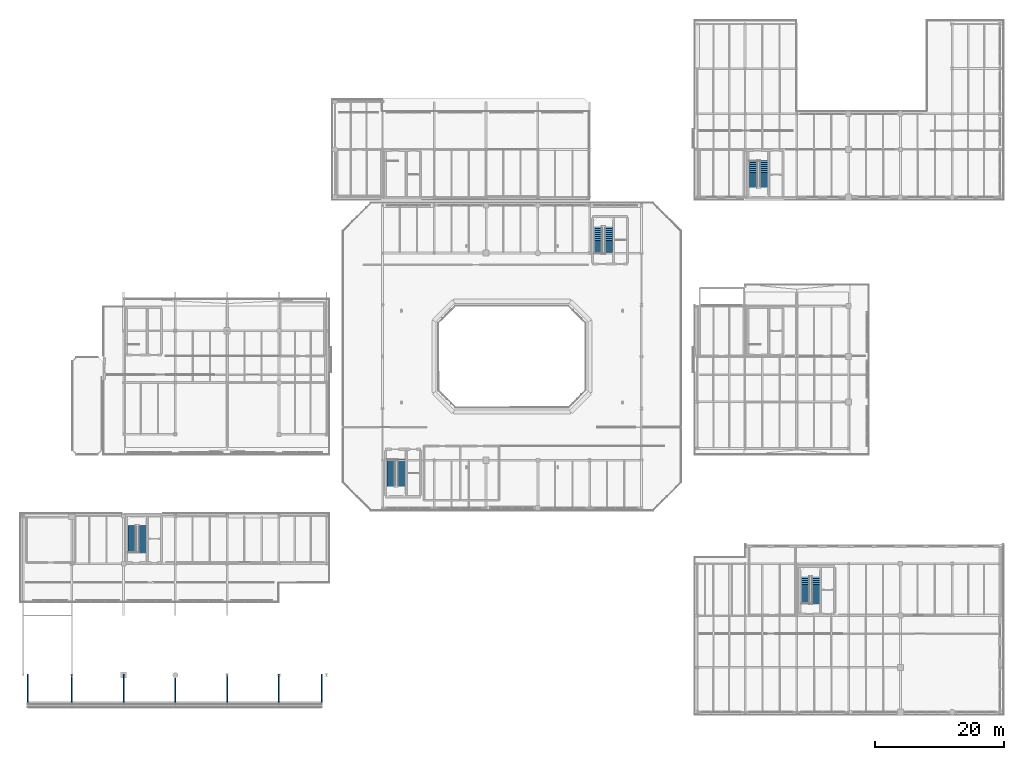
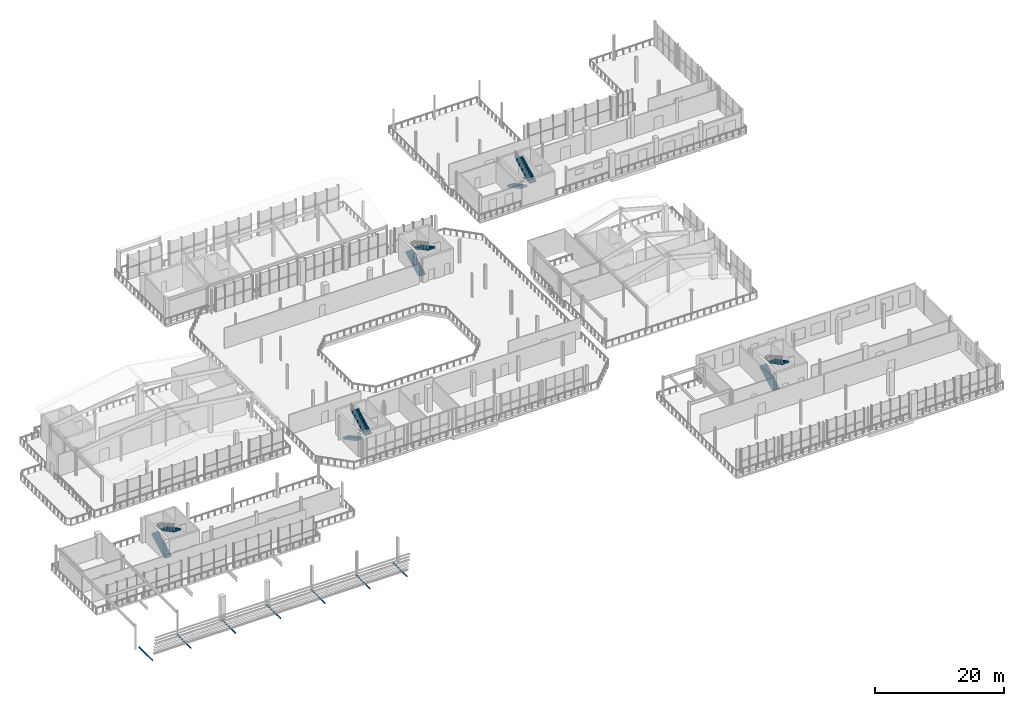
# One storey, part 55 of 70: 10 stair flights, 7 discrete accessories, 5 elements without a shape of their own.
"""IFC4 building model written with IfcOpenShell, lengths in metres."""

import ifcopenshell
import ifcopenshell.guid

model = None  # the IFC model being written
_history = None  # IfcOwnerHistory: only IFC2X3 demands one
_inside = {}  # id of a spatial element -> (the spatial element, [elements in it])
_under = {}  # id of a project, library or spatial element -> (it, [spatial elements below it])
_declared = {}  # id of a project -> (the project, [libraries it declares])
_typed = {}  # id of a type object -> (the type object, [elements of that type])
_made_of = {}  # id of a material, layer set ... -> (it, [elements and type objects made of it])


def new_model(schema):
    """Start an empty IFC model of exactly this schema.

    Asked for "IFC4X3", IfcOpenShell would pick the latest addendum, in which some entities
    have other attributes; the version numbers below select the first issue.
    IFC2X3 requires an IfcOwnerHistory on every rooted entity: one is made here for all.
    """
    global model, _history
    if schema == "IFC4X3":
        model = ifcopenshell.file(schema_version=(4, 3, 0, 0))
    else:
        model = ifcopenshell.file(schema=schema)
    _inside.clear()
    _under.clear()
    _declared.clear()
    _typed.clear()
    _made_of.clear()
    _history = None
    if model.schema == "IFC2X3":
        org = make("IfcOrganization", Name="unknown")
        user = make(
            "IfcPersonAndOrganization",
            ThePerson=make("IfcPerson", FamilyName="unknown"),
            TheOrganization=org,
        )
        app = make(
            "IfcApplication",
            ApplicationDeveloper=org,
            Version="unknown",
            ApplicationFullName="unknown",
            ApplicationIdentifier="unknown",
        )
        _history = make(
            "IfcOwnerHistory",
            OwningUser=user,
            OwningApplication=app,
            ChangeAction="ADDED",
            CreationDate=0,
        )
    return model


def make(cls, **values):
    """One entity of the class cls with the attributes given. An attribute that is None is left unset."""
    return model.create_entity(
        cls, **{name: value for name, value in values.items() if value is not None}
    )


def rooted(cls, **values):
    """An entity with a GlobalId (a new one), such as an element, a storey or a relation."""
    return make(cls, GlobalId=ifcopenshell.guid.new(), OwnerHistory=_history, **values)


def si_unit(unit_type, name, prefix=None):
    """IfcSIUnit, for example si_unit("LENGTHUNIT", "METRE", prefix="MILLI")."""
    return make("IfcSIUnit", UnitType=unit_type, Prefix=prefix, Name=name)


def assignment(units):
    """IfcUnitAssignment: the units of a project."""
    return None if units is None else make("IfcUnitAssignment", Units=units)


def point(xyz):
    """IfcCartesianPoint."""
    return None if xyz is None else make("IfcCartesianPoint", Coordinates=xyz)


def direction(xyz):
    """IfcDirection."""
    return None if xyz is None else make("IfcDirection", DirectionRatios=xyz)


def frame(location, z_axis=None, x_axis=None):
    """IfcAxis2Placement3D, a coordinate frame: its origin and axes. An axis left out is left unset."""
    return make(
        "IfcAxis2Placement3D",
        Location=point(location),
        Axis=direction(z_axis),
        RefDirection=direction(x_axis),
    )


def frame_2d(location, x_axis=None):
    """IfcAxis2Placement2D, a coordinate frame in the plane: its origin and x axis."""
    return make(
        "IfcAxis2Placement2D", Location=point(location), RefDirection=direction(x_axis)
    )


def origin():
    """The frame at (0, 0, 0) with its axes left unset."""
    return frame((0.0, 0.0, 0.0))


def origin_2d():
    """The frame at (0, 0) in the plane with its x axis left unset."""
    return frame_2d((0.0, 0.0))


def place(relative_to, where):
    """IfcLocalPlacement: puts the frame where relative to a parent placement (None: the world)."""
    return make(
        "IfcLocalPlacement", PlacementRelTo=relative_to, RelativePlacement=where
    )


def context(
    kind, dimensions, precision=None, world=None, true_north=None, identifier=None
):
    """IfcGeometricRepresentationContext, for example the 3D "Model" context."""
    return make(
        "IfcGeometricRepresentationContext",
        ContextIdentifier=identifier,
        ContextType=kind,
        CoordinateSpaceDimension=dimensions,
        Precision=precision,
        WorldCoordinateSystem=world,
        TrueNorth=true_north,
    )


def subcontext(parent, identifier, kind, view, scale=None):
    """IfcGeometricRepresentationSubContext, for example "Body" below "Model"."""
    return make(
        "IfcGeometricRepresentationSubContext",
        ContextIdentifier=identifier,
        ContextType=kind,
        ParentContext=parent,
        TargetScale=scale,
        TargetView=view,
    )


def project(units=None, contexts=None):
    """IfcProject with its units and contexts."""
    return rooted(
        "IfcProject",
        Name="project",
        RepresentationContexts=contexts,
        UnitsInContext=assignment(units),
    )


def spatial(cls, under=None, at=None, **own):
    """A site, building, storey or space (cls), placed at a placement, below another one or the project."""
    s = rooted(cls, ObjectPlacement=at, **own)
    if under is not None:
        _under.setdefault(under.id(), (under, []))[1].append(s)
    return s


def polyline(points):
    """IfcPolyline through the points."""
    return make("IfcPolyline", Points=[point(p) for p in points])


def profile(cls, at=None, kind="AREA", **sizes):
    """A parametric profile (cls). Its sizes go by their IFC names, for example OverallWidth=200.0."""
    return make(cls, ProfileType=kind, Position=at, **sizes)


def rectangle(**sizes):
    """IfcRectangleProfileDef."""
    return profile("IfcRectangleProfileDef", **sizes)


def outline(outer, holes=None, kind="AREA"):
    """IfcArbitraryClosedProfileDef: a profile drawn as a closed curve; with holes, ...WithVoids."""
    if holes is None:
        return make("IfcArbitraryClosedProfileDef", ProfileType=kind, OuterCurve=outer)
    return make(
        "IfcArbitraryProfileDefWithVoids",
        ProfileType=kind,
        OuterCurve=outer,
        InnerCurves=holes,
    )


def extrude(swept, where, along, depth):
    """IfcExtrudedAreaSolid: the profile swept, set in the frame where, extruded along a direction by depth."""
    return make(
        "IfcExtrudedAreaSolid",
        SweptArea=swept,
        Position=where,
        ExtrudedDirection=direction(along),
        Depth=depth,
    )


def shape(context_of_items, identifier, shape_type, items):
    """IfcShapeRepresentation: the items that make up one representation, for example the "Body"."""
    return make(
        "IfcShapeRepresentation",
        ContextOfItems=context_of_items,
        RepresentationIdentifier=identifier,
        RepresentationType=shape_type,
        Items=items,
    )


def material(Name=None, Category=None):
    """IfcMaterial."""
    return make("IfcMaterial", Name=Name, Category=Category)


def made_of(thing, what):
    """Note that an element or type object is made of a material, layer set ...; save() writes the relation."""
    if what is not None:
        _made_of.setdefault(what.id(), (what, []))[1].append(thing)
    return thing


def type_object(cls, material=None, **own):
    """A type object (cls), such as IfcWallType, which elements share."""
    return made_of(rooted(cls, **own), material)


def element(
    cls,
    number,
    at=None,
    inside=None,
    cuts=None,
    type_object=None,
    material=None,
    context=None,
    identifier="Body",
    shape_type=None,
    held_by="IfcProductDefinitionShape",
    body=None,
    shapes=None,
    **own,
):
    """One element of the class cls, such as IfcWall. Its Tag is "e" and its number.

    at: its placement. inside: the storey or other place that contains it. cuts: it is an
    opening in that element (IfcRelVoidsElement). A single representation is given by context,
    identifier, shape_type and body (its items); several are given by shapes. held_by: the class
    of the entity that holds the representations. save() writes the other relations.
    """
    e = rooted(cls, Tag="e%d" % number, ObjectPlacement=at, **own)
    if body is not None:
        shapes = [shape(context, identifier, shape_type, body)]
    if shapes is not None:
        e.Representation = make(held_by, Representations=shapes)
    if inside is not None:
        _inside.setdefault(inside.id(), (inside, []))[1].append(e)
    if cuts is not None:
        rooted(
            "IfcRelVoidsElement", RelatingBuildingElement=cuts, RelatedOpeningElement=e
        )
    if type_object is not None:
        _typed.setdefault(type_object.id(), (type_object, []))[1].append(e)
    return made_of(e, material)


def aggregate(whole, parts):
    """IfcRelAggregates: a whole, such as a stair, and the parts it consists of."""
    return rooted("IfcRelAggregates", RelatingObject=whole, RelatedObjects=parts)


def save(model, path):
    """Write the relations noted so far, then the file.

    IfcRelAggregates (storeys below a building ...), IfcRelContainedInSpatialStructure (elements
    in a storey), IfcRelDefinesByType, IfcRelAssociatesMaterial and IfcRelDeclares: one each for
    every whole, place, type object, material and project.
    """
    for whole, parts in _under.values():
        aggregate(whole, parts)
    for where, things in _inside.values():
        rooted(
            "IfcRelContainedInSpatialStructure",
            RelatedElements=things,
            RelatingStructure=where,
        )
    for kind, things in _typed.values():
        rooted("IfcRelDefinesByType", RelatedObjects=things, RelatingType=kind)
    for what, things in _made_of.values():
        rooted("IfcRelAssociatesMaterial", RelatedObjects=things, RelatingMaterial=what)
    for by, libraries in _declared.values():
        rooted("IfcRelDeclares", RelatingContext=by, RelatedDefinitions=libraries)
    model.write(path)


model = new_model("IFC4")

# Units and contexts
model_context = context("Model", 3, precision=1e-05, world=origin(), true_north=direction((0.0, 1.0)))
body_context = subcontext(model_context, "Body", "Model", "MODEL_VIEW")
ifc_project = project(units=[si_unit("LENGTHUNIT", "METRE"), si_unit("AREAUNIT", "SQUARE_METRE"), si_unit("VOLUMEUNIT", "CUBIC_METRE"), si_unit("PLANEANGLEUNIT", "RADIAN"), si_unit("MASSUNIT", "GRAM", prefix="KILO")], contexts=[model_context])

# Site, building, storey
site_placement = place(None, origin())
site = spatial("IfcSite", under=ifc_project, at=site_placement, CompositionType="ELEMENT")
building_placement = place(site_placement, origin())
building = spatial("IfcBuilding", under=site, at=building_placement, Name="Brisemont Oceanarium", CompositionType="ELEMENT")
storey_placement = place(building_placement, frame((0.0, 0.0, 10.199951171875)))
storey = spatial("IfcBuildingStorey", under=building, at=storey_placement, Name="L02", CompositionType="ELEMENT", Elevation=10.199951171875)

# Stair, stair flights
ifc_material_1 = material(Name="Concrete C40/50", Category="concrete")
stair_type = type_object("IfcStairType", Name="STR-CORE-124-48", PredefinedType="HALF_TURN_STAIR", material=ifc_material_1)
stair_1_placement = place(storey_placement, origin())
stair_1 = element("IfcStair", 1, at=stair_1_placement, inside=storey, type_object=stair_type, Name="Exit stair ST-01 L02 to L03", PredefinedType="HALF_TURN_STAIR")
ifc_material_2 = material(Name="Concrete C40/50", Category="concrete")
stair_flight_type = type_object("IfcStairFlightType", Name="FLT-CORE-124-48", PredefinedType="STRAIGHT", material=ifc_material_2)
stair_flight_1_placement = place(storey_placement, frame((65.330078125, 40.14990234375, 0.0), z_axis=(0.0, 0.0, 1.0), x_axis=(0.0, -1.0, 0.0)))
stair_flight_1 = element("IfcStairFlight", 2, at=stair_flight_1_placement, type_object=stair_flight_type, Name="ST-01 L02 lower flight", NumberOfRisers=15, NumberOfTreads=14, PredefinedType="STRAIGHT", RiserHeight=0.16, TreadLength=0.303571, context=body_context, shape_type="SweptSolid", body=[
    extrude(outline(polyline([(0.0, 0.0), (0.0, 0.159912109375), (0.303466796875, 0.159912109375), (0.303466796875, 0.320068359375), (0.607177734375, 0.320068359375), (0.607177734375, 0.47998046875), (0.91064453125, 0.47998046875), (0.91064453125, 0.639892578125), (1.21435546875, 0.639892578125), (1.21435546875, 0.800048828125), (1.517822265625, 0.800048828125), (1.517822265625, 0.9599609375), (1.821533203125, 0.9599609375), (1.821533203125, 1.1201171875), (2.125, 1.1201171875), (2.125, 1.280029296875), (2.428466796875, 1.280029296875), (2.428466796875, 1.43994140625), (2.732177734375, 1.43994140625), (2.732177734375, 1.60009765625), (3.03564453125, 1.60009765625), (3.03564453125, 1.760009765625), (3.33935546875, 1.760009765625), (3.33935546875, 1.919921875), (3.642822265625, 1.919921875), (3.642822265625, 2.080078125), (3.946533203125, 2.080078125), (3.946533203125, 2.239990234375), (4.25, 2.239990234375), (4.25, 2.39990234375), (4.25, 1.991455078125), (0.4716796875, 0.0), (0.0, 0.0)])), frame((0.0, 0.6201171875, 0.0), z_axis=(0.0, -1.0, 0.0), x_axis=(1.0, 0.0, 0.0)), (0.0, 0.0, 1.0), 1.239990234375),
])
stair_flight_2_placement = place(storey_placement, frame((66.929931640625, 35.89990234375, 2.400146484375), z_axis=(0.0, 0.0, 1.0), x_axis=(0.0, 1.0, 0.0)))
stair_flight_2 = element("IfcStairFlight", 3, at=stair_flight_2_placement, type_object=stair_flight_type, Name="ST-01 L02 upper flight", NumberOfRisers=15, NumberOfTreads=14, PredefinedType="STRAIGHT", RiserHeight=0.16, TreadLength=0.303571, context=body_context, shape_type="SweptSolid", body=[
    extrude(outline(polyline([(0.0, 0.0), (0.0, 0.159912109375), (0.303466796875, 0.159912109375), (0.303466796875, 0.320068359375), (0.607177734375, 0.320068359375), (0.607177734375, 0.47998046875), (0.91064453125, 0.47998046875), (0.91064453125, 0.639892578125), (1.21435546875, 0.639892578125), (1.21435546875, 0.800048828125), (1.517822265625, 0.800048828125), (1.517822265625, 0.9599609375), (1.821533203125, 0.9599609375), (1.821533203125, 1.1201171875), (2.125, 1.1201171875), (2.125, 1.280029296875), (2.428466796875, 1.280029296875), (2.428466796875, 1.43994140625), (2.732177734375, 1.43994140625), (2.732177734375, 1.60009765625), (3.03564453125, 1.60009765625), (3.03564453125, 1.760009765625), (3.33935546875, 1.760009765625), (3.33935546875, 1.919921875), (3.642822265625, 1.919921875), (3.642822265625, 2.080078125), (3.946533203125, 2.080078125), (3.946533203125, 2.239990234375), (4.25, 2.239990234375), (4.25, 2.39990234375), (4.25, 1.991455078125), (0.4716796875, 0.0), (0.0, 0.0)])), frame((0.0, 0.6201171875, 0.0), z_axis=(0.0, -1.0, 0.0), x_axis=(1.0, 0.0, 0.0)), (0.0, 0.0, 1.0), 1.239990234375),
])
aggregate(stair_1, [stair_flight_1, stair_flight_2])

stair_2_placement = place(storey_placement, origin())
stair_2 = element("IfcStair", 4, at=stair_2_placement, inside=storey, type_object=stair_type, Name="Exit stair ST-02 L02 to L03", PredefinedType="HALF_TURN_STAIR")
stair_flight_3_placement = place(storey_placement, frame((97.330078125, 71.85009765625, 0.0), z_axis=(0.0, 0.0, 1.0), x_axis=(0.0, 1.0, 0.0)))
stair_flight_3 = element("IfcStairFlight", 5, at=stair_flight_3_placement, type_object=stair_flight_type, Name="ST-02 L02 lower flight", NumberOfRisers=15, NumberOfTreads=14, PredefinedType="STRAIGHT", RiserHeight=0.16, TreadLength=0.303571, context=body_context, shape_type="SweptSolid", body=[
    extrude(outline(polyline([(0.0, 0.0), (0.0, 0.159912109375), (0.303466796875, 0.159912109375), (0.303466796875, 0.320068359375), (0.607177734375, 0.320068359375), (0.607177734375, 0.47998046875), (0.91064453125, 0.47998046875), (0.91064453125, 0.639892578125), (1.21435546875, 0.639892578125), (1.21435546875, 0.800048828125), (1.517822265625, 0.800048828125), (1.517822265625, 0.9599609375), (1.821533203125, 0.9599609375), (1.821533203125, 1.1201171875), (2.125, 1.1201171875), (2.125, 1.280029296875), (2.428466796875, 1.280029296875), (2.428466796875, 1.43994140625), (2.732177734375, 1.43994140625), (2.732177734375, 1.60009765625), (3.03564453125, 1.60009765625), (3.03564453125, 1.760009765625), (3.33935546875, 1.760009765625), (3.33935546875, 1.919921875), (3.642822265625, 1.919921875), (3.642822265625, 2.080078125), (3.946533203125, 2.080078125), (3.946533203125, 2.239990234375), (4.25, 2.239990234375), (4.25, 2.39990234375), (4.25, 1.991455078125), (0.4716796875, 0.0), (0.0, 0.0)])), frame((0.0, 0.6201171875, 0.0), z_axis=(0.0, -1.0, 0.0), x_axis=(1.0, 0.0, 0.0)), (0.0, 0.0, 1.0), 1.239990234375),
])
stair_flight_4_placement = place(storey_placement, frame((98.929931640625, 76.10009765625, 2.400146484375), z_axis=(0.0, 0.0, 1.0), x_axis=(0.0, -1.0, 0.0)))
stair_flight_4 = element("IfcStairFlight", 6, at=stair_flight_4_placement, type_object=stair_flight_type, Name="ST-02 L02 upper flight", NumberOfRisers=15, NumberOfTreads=14, PredefinedType="STRAIGHT", RiserHeight=0.16, TreadLength=0.303571, context=body_context, shape_type="SweptSolid", body=[
    extrude(outline(polyline([(0.0, 0.0), (0.0, 0.159912109375), (0.303466796875, 0.159912109375), (0.303466796875, 0.320068359375), (0.607177734375, 0.320068359375), (0.607177734375, 0.47998046875), (0.91064453125, 0.47998046875), (0.91064453125, 0.639892578125), (1.21435546875, 0.639892578125), (1.21435546875, 0.800048828125), (1.517822265625, 0.800048828125), (1.517822265625, 0.9599609375), (1.821533203125, 0.9599609375), (1.821533203125, 1.1201171875), (2.125, 1.1201171875), (2.125, 1.280029296875), (2.428466796875, 1.280029296875), (2.428466796875, 1.43994140625), (2.732177734375, 1.43994140625), (2.732177734375, 1.60009765625), (3.03564453125, 1.60009765625), (3.03564453125, 1.760009765625), (3.33935546875, 1.760009765625), (3.33935546875, 1.919921875), (3.642822265625, 1.919921875), (3.642822265625, 2.080078125), (3.946533203125, 2.080078125), (3.946533203125, 2.239990234375), (4.25, 2.239990234375), (4.25, 2.39990234375), (4.25, 1.991455078125), (0.4716796875, 0.0), (0.0, 0.0)])), frame((0.0, 0.6201171875, 0.0), z_axis=(0.0, -1.0, 0.0), x_axis=(1.0, 0.0, 0.0)), (0.0, 0.0, 1.0), 1.239990234375),
])
aggregate(stair_2, [stair_flight_3, stair_flight_4])

stair_3_placement = place(storey_placement, origin())
stair_3 = element("IfcStair", 7, at=stair_3_placement, inside=storey, type_object=stair_type, Name="Exit stair ST-03 L02 to L03", PredefinedType="HALF_TURN_STAIR")
stair_flight_5_placement = place(storey_placement, frame((25.330078125, 25.699951171875, 0.0), z_axis=(0.0, 0.0, 1.0), x_axis=(0.0, 1.0, 0.0)))
stair_flight_5 = element("IfcStairFlight", 8, at=stair_flight_5_placement, type_object=stair_flight_type, Name="ST-03 L02 lower flight", NumberOfRisers=15, NumberOfTreads=14, PredefinedType="STRAIGHT", RiserHeight=0.16, TreadLength=0.303571, context=body_context, shape_type="SweptSolid", body=[
    extrude(outline(polyline([(0.0, 0.0), (0.0, 0.159912109375), (0.303466796875, 0.159912109375), (0.303466796875, 0.320068359375), (0.607177734375, 0.320068359375), (0.607177734375, 0.47998046875), (0.91064453125, 0.47998046875), (0.91064453125, 0.639892578125), (1.21435546875, 0.639892578125), (1.21435546875, 0.800048828125), (1.517822265625, 0.800048828125), (1.517822265625, 0.9599609375), (1.821533203125, 0.9599609375), (1.821533203125, 1.1201171875), (2.125, 1.1201171875), (2.125, 1.280029296875), (2.428466796875, 1.280029296875), (2.428466796875, 1.43994140625), (2.732177734375, 1.43994140625), (2.732177734375, 1.60009765625), (3.03564453125, 1.60009765625), (3.03564453125, 1.760009765625), (3.33935546875, 1.760009765625), (3.33935546875, 1.919921875), (3.642822265625, 1.919921875), (3.642822265625, 2.080078125), (3.946533203125, 2.080078125), (3.946533203125, 2.239990234375), (4.25, 2.239990234375), (4.25, 2.39990234375), (4.25, 1.991455078125), (0.4716796875, 0.0), (0.0, 0.0)])), frame((0.0, 0.6201171875, 0.0), z_axis=(0.0, -1.0, 0.0), x_axis=(1.0, 0.0, 0.0)), (0.0, 0.0, 1.0), 1.239990234375),
])
stair_flight_6_placement = place(storey_placement, frame((26.929931640625, 29.949951171875, 2.400146484375), z_axis=(0.0, 0.0, 1.0), x_axis=(0.0, -1.0, 0.0)))
stair_flight_6 = element("IfcStairFlight", 9, at=stair_flight_6_placement, type_object=stair_flight_type, Name="ST-03 L02 upper flight", NumberOfRisers=15, NumberOfTreads=14, PredefinedType="STRAIGHT", RiserHeight=0.16, TreadLength=0.303571, context=body_context, shape_type="SweptSolid", body=[
    extrude(outline(polyline([(0.0, 0.0), (0.0, 0.159912109375), (0.303466796875, 0.159912109375), (0.303466796875, 0.320068359375), (0.607177734375, 0.320068359375), (0.607177734375, 0.47998046875), (0.91064453125, 0.47998046875), (0.91064453125, 0.639892578125), (1.21435546875, 0.639892578125), (1.21435546875, 0.800048828125), (1.517822265625, 0.800048828125), (1.517822265625, 0.9599609375), (1.821533203125, 0.9599609375), (1.821533203125, 1.1201171875), (2.125, 1.1201171875), (2.125, 1.280029296875), (2.428466796875, 1.280029296875), (2.428466796875, 1.43994140625), (2.732177734375, 1.43994140625), (2.732177734375, 1.60009765625), (3.03564453125, 1.60009765625), (3.03564453125, 1.760009765625), (3.33935546875, 1.760009765625), (3.33935546875, 1.919921875), (3.642822265625, 1.919921875), (3.642822265625, 2.080078125), (3.946533203125, 2.080078125), (3.946533203125, 2.239990234375), (4.25, 2.239990234375), (4.25, 2.39990234375), (4.25, 1.991455078125), (0.4716796875, 0.0), (0.0, 0.0)])), frame((0.0, 0.6201171875, 0.0), z_axis=(0.0, -1.0, 0.0), x_axis=(1.0, 0.0, 0.0)), (0.0, 0.0, 1.0), 1.239990234375),
])
aggregate(stair_3, [stair_flight_5, stair_flight_6])

stair_4_placement = place(storey_placement, origin())
stair_4 = element("IfcStair", 10, at=stair_4_placement, inside=storey, type_object=stair_type, Name="Exit stair ST-04 L02 to L03", PredefinedType="HALF_TURN_STAIR")
stair_flight_7_placement = place(storey_placement, frame((129.330078125, 17.800048828125, 0.0), z_axis=(0.0, 0.0, 1.0), x_axis=(0.0, 1.0, 0.0)))
stair_flight_7 = element("IfcStairFlight", 11, at=stair_flight_7_placement, type_object=stair_flight_type, Name="ST-04 L02 lower flight", NumberOfRisers=15, NumberOfTreads=14, PredefinedType="STRAIGHT", RiserHeight=0.16, TreadLength=0.303571, context=body_context, shape_type="SweptSolid", body=[
    extrude(outline(polyline([(0.0, 0.0), (0.0, 0.159912109375), (0.303466796875, 0.159912109375), (0.303466796875, 0.320068359375), (0.607177734375, 0.320068359375), (0.607177734375, 0.47998046875), (0.91064453125, 0.47998046875), (0.91064453125, 0.639892578125), (1.21435546875, 0.639892578125), (1.21435546875, 0.800048828125), (1.517822265625, 0.800048828125), (1.517822265625, 0.9599609375), (1.821533203125, 0.9599609375), (1.821533203125, 1.1201171875), (2.125, 1.1201171875), (2.125, 1.280029296875), (2.428466796875, 1.280029296875), (2.428466796875, 1.43994140625), (2.732177734375, 1.43994140625), (2.732177734375, 1.60009765625), (3.03564453125, 1.60009765625), (3.03564453125, 1.760009765625), (3.33935546875, 1.760009765625), (3.33935546875, 1.919921875), (3.642822265625, 1.919921875), (3.642822265625, 2.080078125), (3.946533203125, 2.080078125), (3.946533203125, 2.239990234375), (4.25, 2.239990234375), (4.25, 2.39990234375), (4.25, 1.991455078125), (0.4716796875, 0.0), (0.0, 0.0)])), frame((0.0, 0.6201171875, 0.0), z_axis=(0.0, -1.0, 0.0), x_axis=(1.0, 0.0, 0.0)), (0.0, 0.0, 1.0), 1.239990234375),
])
stair_flight_8_placement = place(storey_placement, frame((130.929931640625, 22.050048828125, 2.400146484375), z_axis=(0.0, 0.0, 1.0), x_axis=(0.0, -1.0, 0.0)))
stair_flight_8 = element("IfcStairFlight", 12, at=stair_flight_8_placement, type_object=stair_flight_type, Name="ST-04 L02 upper flight", NumberOfRisers=15, NumberOfTreads=14, PredefinedType="STRAIGHT", RiserHeight=0.16, TreadLength=0.303571, context=body_context, shape_type="SweptSolid", body=[
    extrude(outline(polyline([(0.0, 0.0), (0.0, 0.159912109375), (0.303466796875, 0.159912109375), (0.303466796875, 0.320068359375), (0.607177734375, 0.320068359375), (0.607177734375, 0.47998046875), (0.91064453125, 0.47998046875), (0.91064453125, 0.639892578125), (1.21435546875, 0.639892578125), (1.21435546875, 0.800048828125), (1.517822265625, 0.800048828125), (1.517822265625, 0.9599609375), (1.821533203125, 0.9599609375), (1.821533203125, 1.1201171875), (2.125, 1.1201171875), (2.125, 1.280029296875), (2.428466796875, 1.280029296875), (2.428466796875, 1.43994140625), (2.732177734375, 1.43994140625), (2.732177734375, 1.60009765625), (3.03564453125, 1.60009765625), (3.03564453125, 1.760009765625), (3.33935546875, 1.760009765625), (3.33935546875, 1.919921875), (3.642822265625, 1.919921875), (3.642822265625, 2.080078125), (3.946533203125, 2.080078125), (3.946533203125, 2.239990234375), (4.25, 2.239990234375), (4.25, 2.39990234375), (4.25, 1.991455078125), (0.4716796875, 0.0), (0.0, 0.0)])), frame((0.0, 0.6201171875, 0.0), z_axis=(0.0, -1.0, 0.0), x_axis=(1.0, 0.0, 0.0)), (0.0, 0.0, 1.0), 1.239990234375),
])
aggregate(stair_4, [stair_flight_7, stair_flight_8])

stair_5_placement = place(storey_placement, origin())
stair_5 = element("IfcStair", 13, at=stair_5_placement, inside=storey, type_object=stair_type, Name="Exit stair ST-07 L02 to L03", PredefinedType="HALF_TURN_STAIR")
stair_flight_9_placement = place(storey_placement, frame((121.330078125, 86.300048828125, 0.0), z_axis=(0.0, 0.0, 1.0), x_axis=(0.0, -1.0, 0.0)))
stair_flight_9 = element("IfcStairFlight", 14, at=stair_flight_9_placement, type_object=stair_flight_type, Name="ST-07 L02 lower flight", NumberOfRisers=15, NumberOfTreads=14, PredefinedType="STRAIGHT", RiserHeight=0.16, TreadLength=0.303571, context=body_context, shape_type="SweptSolid", body=[
    extrude(outline(polyline([(0.0, 0.0), (0.0, 0.159912109375), (0.303466796875, 0.159912109375), (0.303466796875, 0.320068359375), (0.607177734375, 0.320068359375), (0.607177734375, 0.47998046875), (0.91064453125, 0.47998046875), (0.91064453125, 0.639892578125), (1.21435546875, 0.639892578125), (1.21435546875, 0.800048828125), (1.517822265625, 0.800048828125), (1.517822265625, 0.9599609375), (1.821533203125, 0.9599609375), (1.821533203125, 1.1201171875), (2.125, 1.1201171875), (2.125, 1.280029296875), (2.428466796875, 1.280029296875), (2.428466796875, 1.43994140625), (2.732177734375, 1.43994140625), (2.732177734375, 1.60009765625), (3.03564453125, 1.60009765625), (3.03564453125, 1.760009765625), (3.33935546875, 1.760009765625), (3.33935546875, 1.919921875), (3.642822265625, 1.919921875), (3.642822265625, 2.080078125), (3.946533203125, 2.080078125), (3.946533203125, 2.239990234375), (4.25, 2.239990234375), (4.25, 2.39990234375), (4.25, 1.991455078125), (0.4716796875, 0.0), (0.0, 0.0)])), frame((0.0, 0.6201171875, 0.0), z_axis=(0.0, -1.0, 0.0), x_axis=(1.0, 0.0, 0.0)), (0.0, 0.0, 1.0), 1.239990234375),
])
stair_flight_10_placement = place(storey_placement, frame((122.929931640625, 82.050048828125, 2.400146484375), z_axis=(0.0, 0.0, 1.0), x_axis=(0.0, 1.0, 0.0)))
stair_flight_10 = element("IfcStairFlight", 15, at=stair_flight_10_placement, type_object=stair_flight_type, Name="ST-07 L02 upper flight", NumberOfRisers=15, NumberOfTreads=14, PredefinedType="STRAIGHT", RiserHeight=0.16, TreadLength=0.303571, context=body_context, shape_type="SweptSolid", body=[
    extrude(outline(polyline([(0.0, 0.0), (0.0, 0.159912109375), (0.303466796875, 0.159912109375), (0.303466796875, 0.320068359375), (0.607177734375, 0.320068359375), (0.607177734375, 0.47998046875), (0.91064453125, 0.47998046875), (0.91064453125, 0.639892578125), (1.21435546875, 0.639892578125), (1.21435546875, 0.800048828125), (1.517822265625, 0.800048828125), (1.517822265625, 0.9599609375), (1.821533203125, 0.9599609375), (1.821533203125, 1.1201171875), (2.125, 1.1201171875), (2.125, 1.280029296875), (2.428466796875, 1.280029296875), (2.428466796875, 1.43994140625), (2.732177734375, 1.43994140625), (2.732177734375, 1.60009765625), (3.03564453125, 1.60009765625), (3.03564453125, 1.760009765625), (3.33935546875, 1.760009765625), (3.33935546875, 1.919921875), (3.642822265625, 1.919921875), (3.642822265625, 2.080078125), (3.946533203125, 2.080078125), (3.946533203125, 2.239990234375), (4.25, 2.239990234375), (4.25, 2.39990234375), (4.25, 1.991455078125), (0.4716796875, 0.0), (0.0, 0.0)])), frame((0.0, 0.6201171875, 0.0), z_axis=(0.0, -1.0, 0.0), x_axis=(1.0, 0.0, 0.0)), (0.0, 0.0, 1.0), 1.239990234375),
])
aggregate(stair_5, [stair_flight_9, stair_flight_10])

# Discrete accessories
ifc_material_3 = material(Name="Duplex Stainless Steel EN 1.4462", Category="steel")
discrete_accessory_type = type_object("IfcDiscreteAccessoryType", Name="ACC-BRK-DSS", PredefinedType="BRACKET", material=ifc_material_3)
for number, where, z_axis, x_axis, name in (
    (16, (9.199951171875, 4.79638671875, 0.06005859375), (0.0, 0.0, 1.0), (1.0, 0.0, 0.0), "V2 stepped facade outrigger bracket S1-L02"),
    (17, (16.0, 4.79638671875, 0.06005859375), (0.0, 0.0, 1.0), (1.0, 0.0, 0.0), "V2 stepped facade outrigger bracket S2-L02"),
    (18, (24.0, 4.79638671875, 0.06005859375), (0.0, 0.0, 1.0), (1.0, 0.0, 0.0), "V2 stepped facade outrigger bracket S3-L02"),
    (19, (32.0, 4.79638671875, 0.06005859375), (0.0, 0.0, 1.0), (1.0, 0.0, 0.0), "V2 stepped facade outrigger bracket S4-L02"),
    (20, (40.0, 4.79638671875, 0.06005859375), (0.0, 0.0, 1.0), (1.0, 0.0, 0.0), "V2 stepped facade outrigger bracket S5-L02"),
    (21, (48.0, 4.79638671875, 0.06005859375), (0.0, 0.0, 1.0), (1.0, 0.0, 0.0), "V2 stepped facade outrigger bracket S6-L02"),
    (22, (54.60009765625, 4.79638671875, 0.06005859375), (0.0, 0.0, 1.0), (1.0, 0.0, 0.0), "V2 stepped facade outrigger bracket S7-L02"),
):
    element("IfcDiscreteAccessory", number, at=place(storey_placement, frame(where, z_axis=z_axis, x_axis=x_axis)), inside=storey, type_object=discrete_accessory_type, Name=name, PredefinedType="BRACKET", context=body_context, shape_type="SweptSolid", body=[
        extrude(rectangle(XDim=0.159912109375, YDim=4.30712890625, at=origin_2d()), origin(), (0.0, 0.0, 1.0), 0.179931640625),
    ])

save(model, "model.ifc")
